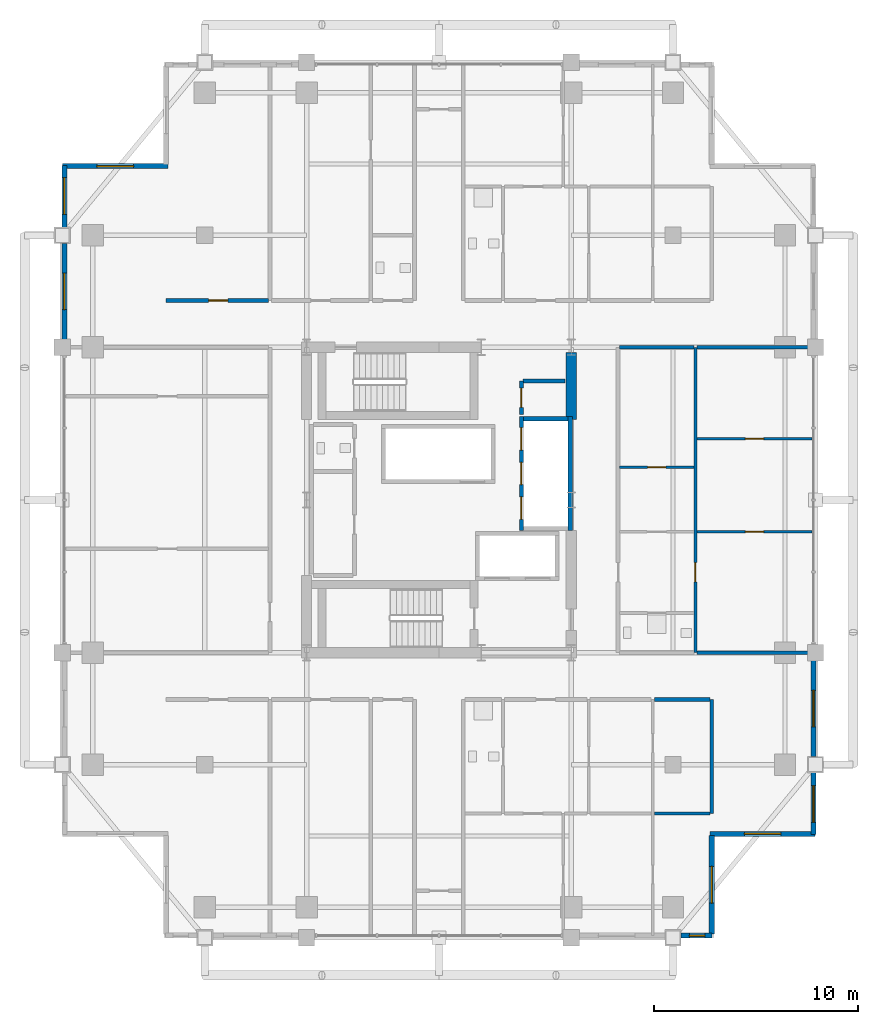
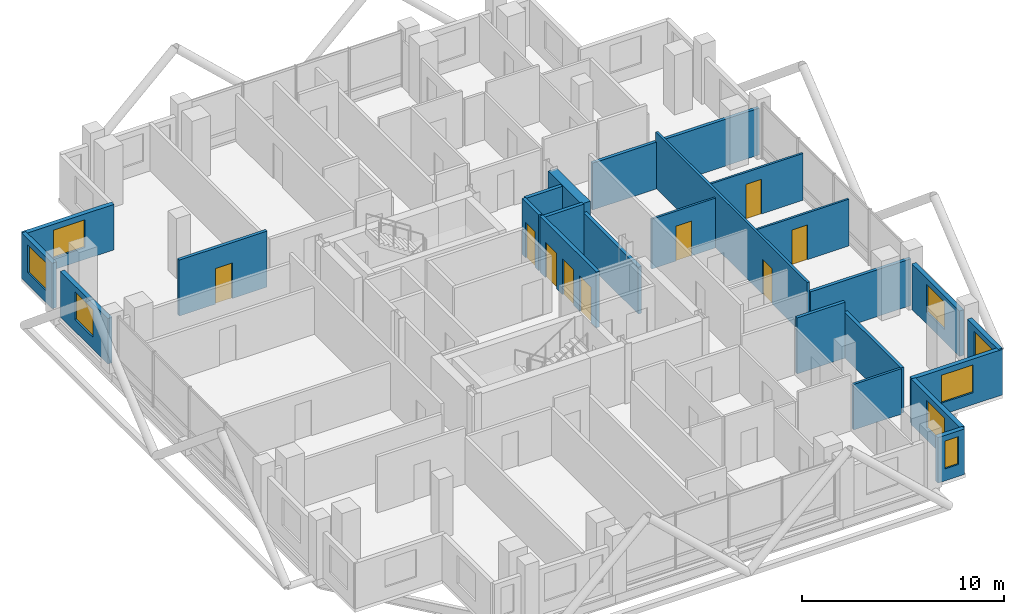
# One storey, part 22 of 26: 25 walls, 9 doors, 8 windows, 17 openings.
"""IFC4 building model written with IfcOpenShell, lengths in metres."""

from ifc_helpers import new_model, si_unit, direction, frame, frame_2d, origin, place, context, subcontext, project, spatial, rectangle, extrude, material, layer, layer_set, type_object, element, fill, save


model = new_model("IFC4")

# Units and contexts
model_context = context("Model", 3, precision=1e-05, world=origin(), true_north=direction((0.0, 1.0)))
body_context = subcontext(model_context, "Body", "Model", "MODEL_VIEW")
ifc_project = project(units=[si_unit("LENGTHUNIT", "METRE"), si_unit("AREAUNIT", "SQUARE_METRE"), si_unit("VOLUMEUNIT", "CUBIC_METRE"), si_unit("PLANEANGLEUNIT", "RADIAN"), si_unit("MASSUNIT", "GRAM", prefix="KILO")], contexts=[model_context])

# Site, building, storey
site_placement = place(None, origin())
site = spatial("IfcSite", under=ifc_project, at=site_placement, CompositionType="ELEMENT")
building_placement = place(site_placement, origin())
building = spatial("IfcBuilding", under=site, at=building_placement, Name="Barlavira Tower and Art Museum", CompositionType="ELEMENT")
storey_placement = place(building_placement, frame((0.0, 0.0, 176.39990234375)))
storey = spatial("IfcBuildingStorey", under=building, at=storey_placement, Name="L45", CompositionType="ELEMENT", Elevation=176.39990234375)

# Wall, opening, door
ifc_material_1 = material(Name="Gypsum acoustic stud partition", Category="gypsum")
ifc_layer_1 = layer(ifc_material_1, 0.1201171875, Name="Gypsum acoustic stud partition")
ifc_layer_set_1 = layer_set([ifc_layer_1], Name="Gypsum acoustic stud partition")
wall_type_1 = type_object("IfcWallType", Name="Apartment Internal Acoustic Partition 120", PredefinedType="PARTITIONING", material=ifc_layer_set_1)
wall_1_placement = place(storey_placement, frame((12.679931640625, -1.550048828125, 0.0), z_axis=(0.0, 0.0, 1.0), x_axis=(1.0, 0.0, 0.0)))
wall_1 = element("IfcWall", 1, at=wall_1_placement, inside=storey, type_object=wall_type_1, Name="L45 Partition Wall 45", PredefinedType="PARTITIONING", context=body_context, shape_type="SweptSolid", body=[
    extrude(rectangle(XDim=5.64013671875, YDim=0.1201171875, at=frame_2d((2.820068359375, 0.0))), origin(), (0.0, 0.0, 1.0), 2.826171875),
])
opening_1_placement = place(wall_1_placement, frame((2.3701171875, 0.0, 0.0)))
opening_1 = element("IfcOpeningElement", 2, at=opening_1_placement, cuts=wall_1, Name="Opening D-01", PredefinedType="OPENING", context=body_context, shape_type="SweptSolid", body=[
    extrude(rectangle(XDim=0.89990234375, YDim=2.10009765625, at=frame_2d((0.449951171875, 1.050048828125))), frame((0.0, 0.070068359375, 0.0), z_axis=(0.0, -1.0, 0.0), x_axis=(1.0, 0.0, 0.0)), (0.0, 0.0, 1.0), 0.14013671875),
])
ifc_material_2 = material(Name="Engineered coastal hardwood", Category="wood")
door_type_1 = type_object("IfcDoorType", Name="Internal Bedroom Timber Flush Door 900x2100", OperationType="NOTDEFINED", PredefinedType="DOOR", material=ifc_material_2)
door_1_placement = place(opening_1_placement, origin())
door_1 = element("IfcDoor", 3, at=door_1_placement, inside=storey, type_object=door_type_1, Name="Apartment E1 Bedroom 1 Door", OperationType="SINGLE_SWING_LEFT", OverallHeight=2.10009765625, OverallWidth=0.89990234375, PredefinedType="DOOR", context=body_context, shape_type="SweptSolid", body=[
    extrude(rectangle(XDim=0.89990234375, YDim=2.10009765625, at=frame_2d((0.449951171875, 1.050048828125))), frame((0.0, 0.02490234375, 0.0), z_axis=(0.0, -1.0, 0.0), x_axis=(1.0, 0.0, 0.0)), (0.0, 0.0, 1.0), 0.050048828125),
])
fill(opening_1, door_1)

wall_2_placement = place(storey_placement, frame((8.8798828125, 1.60009765625, 0.0), z_axis=(0.0, 0.0, 1.0), x_axis=(1.0, 0.0, 0.0)))
wall_2 = element("IfcWall", 4, at=wall_2_placement, inside=storey, type_object=wall_type_1, Name="L45 Partition Wall 47", PredefinedType="PARTITIONING", context=body_context, shape_type="SweptSolid", body=[
    extrude(rectangle(XDim=3.64013671875, YDim=0.1201171875, at=frame_2d((1.820068359375, 0.0))), origin(), (0.0, 0.0, 1.0), 3.010986328125),
])
opening_2_placement = place(wall_2_placement, frame((1.3701171875, 0.0, 0.0)))
opening_2 = element("IfcOpeningElement", 5, at=opening_2_placement, cuts=wall_2, Name="Opening D-01", PredefinedType="OPENING", context=body_context, shape_type="SweptSolid", body=[
    extrude(rectangle(XDim=0.89990234375, YDim=2.10009765625, at=frame_2d((0.449951171875, 1.050048828125))), frame((0.0, 0.070068359375, 0.0), z_axis=(0.0, -1.0, 0.0), x_axis=(1.0, 0.0, 0.0)), (0.0, 0.0, 1.0), 0.14013671875),
])
door_2_placement = place(opening_2_placement, origin())
door_2 = element("IfcDoor", 6, at=door_2_placement, inside=storey, type_object=door_type_1, Name="Apartment E1 Walk-In Dressing Room Door", OperationType="SINGLE_SWING_LEFT", OverallHeight=2.10009765625, OverallWidth=0.89990234375, PredefinedType="DOOR", context=body_context, shape_type="SweptSolid", body=[
    extrude(rectangle(XDim=0.89990234375, YDim=2.10009765625, at=frame_2d((0.449951171875, 1.050048828125))), frame((0.0, 0.02490234375, 0.0), z_axis=(0.0, -1.0, 0.0), x_axis=(1.0, 0.0, 0.0)), (0.0, 0.0, 1.0), 0.050048828125),
])
fill(opening_2, door_2)

wall_3_placement = place(storey_placement, frame((12.679931640625, 3.0, 0.0), z_axis=(0.0, 0.0, 1.0), x_axis=(1.0, 0.0, 0.0)))
wall_3 = element("IfcWall", 7, at=wall_3_placement, inside=storey, type_object=wall_type_1, Name="L45 Partition Wall 48", PredefinedType="PARTITIONING", context=body_context, shape_type="SweptSolid", body=[
    extrude(rectangle(XDim=5.64013671875, YDim=0.1201171875, at=frame_2d((2.820068359375, 0.0))), origin(), (0.0, 0.0, 1.0), 2.826171875),
])
opening_3_placement = place(wall_3_placement, frame((2.3701171875, 0.0, 0.0)))
opening_3 = element("IfcOpeningElement", 8, at=opening_3_placement, cuts=wall_3, Name="Opening D-01", PredefinedType="OPENING", context=body_context, shape_type="SweptSolid", body=[
    extrude(rectangle(XDim=0.89990234375, YDim=2.10009765625, at=frame_2d((0.449951171875, 1.050048828125))), frame((0.0, 0.070068359375, 0.0), z_axis=(0.0, -1.0, 0.0), x_axis=(1.0, 0.0, 0.0)), (0.0, 0.0, 1.0), 0.14013671875),
])
door_3_placement = place(opening_3_placement, origin())
door_3 = element("IfcDoor", 9, at=door_3_placement, inside=storey, type_object=door_type_1, Name="Apartment E1 Bedroom 2 Door", OperationType="SINGLE_SWING_RIGHT", OverallHeight=2.10009765625, OverallWidth=0.89990234375, PredefinedType="DOOR", context=body_context, shape_type="SweptSolid", body=[
    extrude(rectangle(XDim=0.89990234375, YDim=2.10009765625, at=frame_2d((0.449951171875, 1.050048828125))), frame((0.0, 0.02490234375, 0.0), z_axis=(0.0, -1.0, 0.0), x_axis=(1.0, 0.0, 0.0)), (0.0, 0.0, 1.0), 0.050048828125),
])
fill(opening_3, door_3)

# Wall
ifc_material_3 = material(Name="Concrete C60", Category="concrete")
ifc_layer_2 = layer(ifc_material_3, 0.5, Name="Concrete C60")
ifc_layer_set_2 = layer_set([ifc_layer_2], Name="Concrete C60")
wall_type_2 = type_object("IfcWallType", Name="Core Structural Shear Wall 500 Concrete C60", PredefinedType="SHEAR", material=ifc_layer_set_2)
wall_4_placement = place(storey_placement, frame((6.5, 3.949951171875, 0.0), z_axis=(0.0, 0.0, 1.0), x_axis=(0.0, 1.0, 0.0)))
element("IfcWall", 10, at=wall_4_placement, inside=storey, type_object=wall_type_2, Name="L45 Core Shear Wall CS-E2", PredefinedType="SHEAR", context=body_context, shape_type="SweptSolid", body=[
    extrude(rectangle(XDim=3.300048828125, YDim=0.5, at=frame_2d((1.64990234375, 0.0))), origin(), (0.0, 0.0, 1.0), 3.380126953125),
])

# Wall, openings, doors
ifc_material_4 = material(Name="Autoclaved aerated concrete masonry", Category="masonry")
ifc_layer_3 = layer(ifc_material_4, 0.199951171875, Name="Autoclaved aerated concrete masonry")
ifc_layer_set_3 = layer_set([ifc_layer_3], Name="Autoclaved aerated concrete masonry")
wall_type_3 = type_object("IfcWallType", Name="Fire Compartment and Shaft Wall 200", PredefinedType="SOLIDWALL", material=ifc_layer_set_3)
wall_5_placement = place(storey_placement, frame((4.050048828125, -1.489990234375, 0.0), z_axis=(0.0, 0.0, 1.0), x_axis=(0.0, 1.0, 0.0)))
wall_5 = element("IfcWall", 11, at=wall_5_placement, inside=storey, type_object=wall_type_3, Name="L45 Mid-Rise Lift Front Shaft Wall", PredefinedType="SOLIDWALL", context=body_context, shape_type="SweptSolid", body=[
    extrude(rectangle(XDim=5.580078125, YDim=0.199951171875, at=frame_2d((2.7900390625, 0.0))), origin(), (0.0, 0.0, 1.0), 3.380126953125),
])
opening_4_placement = place(wall_5_placement, frame((0.5400390625, 0.0, 0.0)))
opening_4 = element("IfcOpeningElement", 12, at=opening_4_placement, cuts=wall_5, Name="Opening LD-P", PredefinedType="OPENING", context=body_context, shape_type="SweptSolid", body=[
    extrude(rectangle(XDim=1.10009765625, YDim=2.14990234375, at=frame_2d((0.550048828125, 1.074951171875))), frame((0.0, 0.10986328125, 0.0), z_axis=(0.0, -1.0, 0.0), x_axis=(1.0, 0.0, 0.0)), (0.0, 0.0, 1.0), 0.219970703125),
])
opening_5_placement = place(wall_5_placement, frame((2.239990234375, 0.0, 0.0)))
opening_5 = element("IfcOpeningElement", 13, at=opening_5_placement, cuts=wall_5, Name="Opening LD-P", PredefinedType="OPENING", context=body_context, shape_type="SweptSolid", body=[
    extrude(rectangle(XDim=1.10009765625, YDim=2.14990234375, at=frame_2d((0.550048828125, 1.074951171875))), frame((0.0, 0.10986328125, 0.0), z_axis=(0.0, -1.0, 0.0), x_axis=(1.0, 0.0, 0.0)), (0.0, 0.0, 1.0), 0.219970703125),
])
opening_6_placement = place(wall_5_placement, frame((3.93994140625, 0.0, 0.0)))
opening_6 = element("IfcOpeningElement", 14, at=opening_6_placement, cuts=wall_5, Name="Opening LD-P", PredefinedType="OPENING", context=body_context, shape_type="SweptSolid", body=[
    extrude(rectangle(XDim=1.10009765625, YDim=2.14990234375, at=frame_2d((0.550048828125, 1.074951171875))), frame((0.0, 0.10986328125, 0.0), z_axis=(0.0, -1.0, 0.0), x_axis=(1.0, 0.0, 0.0)), (0.0, 0.0, 1.0), 0.219970703125),
])
ifc_material_5 = material(Name="Brushed stainless steel", Category="steel")
door_type_2 = type_object("IfcDoorType", Name="Passenger Lift Sliding Landing Door 1100x2150 FD60", OperationType="NOTDEFINED", PredefinedType="DOOR", material=ifc_material_5)
door_4_placement = place(opening_4_placement, origin())
door_4 = element("IfcDoor", 15, at=door_4_placement, inside=storey, type_object=door_type_2, Name="L45 Lift PM1 Sliding Landing Door", OperationType="DOUBLE_DOOR_SLIDING", OverallHeight=2.14990234375, OverallWidth=1.10009765625, PredefinedType="DOOR", context=body_context, shape_type="SweptSolid", body=[
    extrude(rectangle(XDim=1.10009765625, YDim=2.14990234375, at=frame_2d((0.550048828125, 1.074951171875))), frame((0.0, 0.02490234375, 0.0), z_axis=(0.0, -1.0, 0.0), x_axis=(1.0, 0.0, 0.0)), (0.0, 0.0, 1.0), 0.050048828125),
])
fill(opening_4, door_4)
door_5_placement = place(opening_5_placement, origin())
door_5 = element("IfcDoor", 16, at=door_5_placement, inside=storey, type_object=door_type_2, Name="L45 Lift PM2 Sliding Landing Door", OperationType="DOUBLE_DOOR_SLIDING", OverallHeight=2.14990234375, OverallWidth=1.10009765625, PredefinedType="DOOR", context=body_context, shape_type="SweptSolid", body=[
    extrude(rectangle(XDim=1.10009765625, YDim=2.14990234375, at=frame_2d((0.550048828125, 1.074951171875))), frame((0.0, 0.02490234375, 0.0), z_axis=(0.0, -1.0, 0.0), x_axis=(1.0, 0.0, 0.0)), (0.0, 0.0, 1.0), 0.050048828125),
])
fill(opening_5, door_5)
door_6_placement = place(opening_6_placement, origin())
door_6 = element("IfcDoor", 17, at=door_6_placement, inside=storey, type_object=door_type_2, Name="L45 Lift PM3 Sliding Landing Door", OperationType="DOUBLE_DOOR_SLIDING", OverallHeight=2.14990234375, OverallWidth=1.10009765625, PredefinedType="DOOR", context=body_context, shape_type="SweptSolid", body=[
    extrude(rectangle(XDim=1.10009765625, YDim=2.14990234375, at=frame_2d((0.550048828125, 1.074951171875))), frame((0.0, 0.02490234375, 0.0), z_axis=(0.0, -1.0, 0.0), x_axis=(1.0, 0.0, 0.0)), (0.0, 0.0, 1.0), 0.050048828125),
])
fill(opening_6, door_6)

# Walls
wall_6_placement = place(storey_placement, frame((6.449951171875, -1.489990234375, 0.0), z_axis=(0.0, 0.0, 1.0), x_axis=(0.0, 1.0, 0.0)))
element("IfcWall", 18, at=wall_6_placement, inside=storey, type_object=wall_type_3, Name="L45 Mid-Rise Lift Back Shaft Wall", PredefinedType="SOLIDWALL", context=body_context, shape_type="SweptSolid", body=[
    extrude(rectangle(XDim=5.580078125, YDim=0.199951171875, at=frame_2d((2.7900390625, 0.0))), origin(), (0.0, 0.0, 1.0), 2.826171875),
])
wall_7_placement = place(storey_placement, frame((4.14990234375, 3.989990234375, 0.0), z_axis=(0.0, 0.0, 1.0), x_axis=(1.0, 0.0, 0.0)))
element("IfcWall", 19, at=wall_7_placement, inside=storey, type_object=wall_type_3, Name="L45 Mid-Rise Lift North Shaft Wall", PredefinedType="SOLIDWALL", context=body_context, shape_type="SweptSolid", body=[
    extrude(rectangle(XDim=2.2001953125, YDim=0.199951171875, at=frame_2d((1.10009765625, 0.0))), origin(), (0.0, 0.0, 1.0), 3.380126953125),
])

# Wall, opening, door
wall_8_placement = place(storey_placement, frame((4.050048828125, 4.199951171875, 0.0), z_axis=(0.0, 0.0, 1.0), x_axis=(0.0, 1.0, 0.0)))
wall_8 = element("IfcWall", 20, at=wall_8_placement, inside=storey, type_object=wall_type_3, Name="L45 Partition Wall 14", PredefinedType="SOLIDWALL", context=body_context, shape_type="SweptSolid", body=[
    extrude(rectangle(XDim=1.650146484375, YDim=0.199951171875, at=frame_2d((0.8251953125, 0.0))), origin(), (0.0, 0.0, 1.0), 3.380126953125),
])
opening_7_placement = place(wall_8_placement, frame((0.344970703125, 0.0, 0.0)))
opening_7 = element("IfcOpeningElement", 21, at=opening_7_placement, cuts=wall_8, Name="Opening FD-60", PredefinedType="OPENING", context=body_context, shape_type="SweptSolid", body=[
    extrude(rectangle(XDim=0.949951171875, YDim=2.14990234375, at=frame_2d((0.47509765625, 1.074951171875))), frame((0.0, 0.10986328125, 0.0), z_axis=(0.0, -1.0, 0.0), x_axis=(1.0, 0.0, 0.0)), (0.0, 0.0, 1.0), 0.219970703125),
])
door_type_3 = type_object("IfcDoorType", Name="Apartment Entrance and Riser Fire Door 950x2150 FD60S", OperationType="NOTDEFINED", PredefinedType="DOOR", material=ifc_material_5)
door_7_placement = place(opening_7_placement, origin())
door_7 = element("IfcDoor", 22, at=door_7_placement, inside=storey, type_object=door_type_3, Name="Telecom and BMS Distribution Room Door", OperationType="SINGLE_SWING_LEFT", OverallHeight=2.14990234375, OverallWidth=0.949951171875, PredefinedType="DOOR", context=body_context, shape_type="SweptSolid", body=[
    extrude(rectangle(XDim=0.949951171875, YDim=2.14990234375, at=frame_2d((0.47509765625, 1.074951171875))), frame((0.0, 0.02490234375, 0.0), z_axis=(0.0, -1.0, 0.0), x_axis=(1.0, 0.0, 0.0)), (0.0, 0.0, 1.0), 0.050048828125),
])
fill(opening_7, door_7)

# Walls
wall_9_placement = place(storey_placement, frame((4.1298828125, 5.85009765625, 0.0), z_axis=(0.0, 0.0, 1.0), x_axis=(1.0, 0.0, 0.0)))
element("IfcWall", 23, at=wall_9_placement, inside=storey, type_object=wall_type_3, Name="L45 Partition Wall 51", PredefinedType="SOLIDWALL", context=body_context, shape_type="SweptSolid", body=[
    extrude(rectangle(XDim=2.070068359375, YDim=0.199951171875, at=frame_2d((1.03515625, 0.0))), origin(), (0.0, 0.0, 1.0), 3.380126953125),
])
ifc_layer_4 = layer(ifc_material_1, 0.179931640625, Name="Gypsum acoustic stud partition")
ifc_layer_set_4 = layer_set([ifc_layer_4], Name="Gypsum acoustic stud partition")
wall_type_4 = type_object("IfcWallType", Name="Inter-Tenancy Party Partition Wall 180", PredefinedType="PARTITIONING", material=ifc_layer_set_4)
wall_10_placement = place(storey_placement, frame((13.39990234375, -15.39990234375, 0.0), z_axis=(0.0, 0.0, 1.0), x_axis=(0.0, 1.0, 0.0)))
element("IfcWall", 24, at=wall_10_placement, inside=storey, type_object=wall_type_4, Name="L45 Partition Wall 23", PredefinedType="PARTITIONING", context=body_context, shape_type="SweptSolid", body=[
    extrude(rectangle(XDim=5.599853515625, YDim=0.179931640625, at=frame_2d((2.7998046875, 0.0))), origin(), (0.0, 0.0, 1.0), 2.748046875),
])
wall_11_placement = place(storey_placement, frame((10.580078125, -9.800048828125, 0.0), z_axis=(0.0, 0.0, 1.0), x_axis=(1.0, 0.0, 0.0)))
element("IfcWall", 25, at=wall_11_placement, inside=storey, type_object=wall_type_4, Name="L45 Partition Wall 37", PredefinedType="PARTITIONING", context=body_context, shape_type="SweptSolid", body=[
    extrude(rectangle(XDim=2.739990234375, YDim=0.179931640625, at=frame_2d((1.3701171875, 0.0))), origin(), (0.0, 0.0, 1.0), 3.380126953125),
])
wall_12_placement = place(storey_placement, frame((12.679931640625, -7.5, 0.0), z_axis=(0.0, 0.0, 1.0), x_axis=(1.0, 0.0, 0.0)))
element("IfcWall", 26, at=wall_12_placement, inside=storey, type_object=wall_type_4, Name="L45 Partition Wall 40", PredefinedType="PARTITIONING", context=body_context, shape_type="SweptSolid", body=[
    extrude(rectangle(XDim=5.719970703125, YDim=0.179931640625, at=frame_2d((2.85986328125, 0.0))), origin(), (0.0, 0.0, 1.0), 2.826171875),
])
wall_13_placement = place(storey_placement, frame((8.8798828125, 7.5, 0.0), z_axis=(0.0, 0.0, 1.0), x_axis=(1.0, 0.0, 0.0)))
element("IfcWall", 27, at=wall_13_placement, inside=storey, type_object=wall_type_4, Name="L45 Partition Wall 53", PredefinedType="PARTITIONING", context=body_context, shape_type="SweptSolid", body=[
    extrude(rectangle(XDim=3.64013671875, YDim=0.179931640625, at=frame_2d((1.820068359375, 0.0))), origin(), (0.0, 0.0, 1.0), 2.826171875),
])
wall_14_placement = place(storey_placement, frame((12.679931640625, 7.5, 0.0), z_axis=(0.0, 0.0, 1.0), x_axis=(1.0, 0.0, 0.0)))
element("IfcWall", 28, at=wall_14_placement, inside=storey, type_object=wall_type_4, Name="L45 Partition Wall 54", PredefinedType="PARTITIONING", context=body_context, shape_type="SweptSolid", body=[
    extrude(rectangle(XDim=5.719970703125, YDim=0.179931640625, at=frame_2d((2.85986328125, 0.0))), origin(), (0.0, 0.0, 1.0), 2.826171875),
])

# Wall, opening, door
wall_15_placement = place(storey_placement, frame((-13.39990234375, 9.800048828125, 0.0), z_axis=(0.0, 0.0, 1.0), x_axis=(1.0, 0.0, 0.0)))
wall_15 = element("IfcWall", 29, at=wall_15_placement, inside=storey, type_object=wall_type_4, Name="L45 Partition Wall 55", PredefinedType="PARTITIONING", context=body_context, shape_type="SweptSolid", body=[
    extrude(rectangle(XDim=5.02001953125, YDim=0.179931640625, at=frame_2d((2.510009765625, 0.0))), origin(), (0.0, 0.0, 1.0), 3.380126953125),
])
opening_8_placement = place(wall_15_placement, frame((2.0849609375, 0.0, 0.0)))
opening_8 = element("IfcOpeningElement", 30, at=opening_8_placement, cuts=wall_15, Name="Opening FD-60", PredefinedType="OPENING", context=body_context, shape_type="SweptSolid", body=[
    extrude(rectangle(XDim=0.949951171875, YDim=2.14990234375, at=frame_2d((0.47509765625, 1.074951171875))), frame((0.0, 0.10009765625, 0.0), z_axis=(0.0, -1.0, 0.0), x_axis=(1.0, 0.0, 0.0)), (0.0, 0.0, 1.0), 0.199951171875),
])
door_8_placement = place(opening_8_placement, origin())
door_8 = element("IfcDoor", 31, at=door_8_placement, inside=storey, type_object=door_type_3, Name="Resident Ocean-View Fitness Studio Door", OperationType="SINGLE_SWING_RIGHT", OverallHeight=2.14990234375, OverallWidth=0.949951171875, PredefinedType="DOOR", context=body_context, shape_type="SweptSolid", body=[
    extrude(rectangle(XDim=0.949951171875, YDim=2.14990234375, at=frame_2d((0.47509765625, 1.074951171875))), frame((0.0, 0.02490234375, 0.0), z_axis=(0.0, -1.0, 0.0), x_axis=(1.0, 0.0, 0.0)), (0.0, 0.0, 1.0), 0.050048828125),
])
fill(opening_8, door_8)

ifc_layer_5 = layer(ifc_material_1, 0.139892578125, Name="Gypsum acoustic stud partition")
ifc_layer_set_5 = layer_set([ifc_layer_5], Name="Gypsum acoustic stud partition")
wall_type_5 = type_object("IfcWallType", Name="Moisture-Resistant Bathroom Partition 140", PredefinedType="PARTITIONING", material=ifc_layer_set_5)
wall_16_placement = place(storey_placement, frame((12.60009765625, -7.5, 0.0), z_axis=(0.0, 0.0, 1.0), x_axis=(0.0, 1.0, 0.0)))
wall_16 = element("IfcWall", 32, at=wall_16_placement, inside=storey, type_object=wall_type_5, Name="L45 Partition Wall 22", PredefinedType="PARTITIONING", context=body_context, shape_type="SweptSolid", body=[
    extrude(rectangle(XDim=15.0, YDim=0.139892578125, at=frame_2d((7.5, 0.0))), origin(), (0.0, 0.0, 1.0), 3.380126953125),
])
opening_9_placement = place(wall_16_placement, frame((3.47509765625, 0.0, 0.0)))
opening_9 = element("IfcOpeningElement", 33, at=opening_9_placement, cuts=wall_16, Name="Opening D-02", PredefinedType="OPENING", context=body_context, shape_type="SweptSolid", body=[
    extrude(rectangle(XDim=0.949951171875, YDim=2.10009765625, at=frame_2d((0.47509765625, 1.050048828125))), frame((0.0, 0.080078125, 0.0), z_axis=(0.0, -1.0, 0.0), x_axis=(1.0, 0.0, 0.0)), (0.0, 0.0, 1.0), 0.159912109375),
])
door_type_4 = type_object("IfcDoorType", Name="Living and Salon Glazed-Leaf Door 950x2100", OperationType="NOTDEFINED", PredefinedType="DOOR", material=ifc_material_2)
door_9_placement = place(opening_9_placement, origin())
door_9 = element("IfcDoor", 34, at=door_9_placement, inside=storey, type_object=door_type_4, Name="Apartment E1 Living Lounge Door", OperationType="SINGLE_SWING_RIGHT", OverallHeight=2.10009765625, OverallWidth=0.949951171875, PredefinedType="DOOR", context=body_context, shape_type="SweptSolid", body=[
    extrude(rectangle(XDim=0.949951171875, YDim=2.10009765625, at=frame_2d((0.47509765625, 1.050048828125))), frame((0.0, 0.02490234375, 0.0), z_axis=(0.0, -1.0, 0.0), x_axis=(1.0, 0.0, 0.0)), (0.0, 0.0, 1.0), 0.050048828125),
])
fill(opening_9, door_9)

# Wall
wall_17_placement = place(storey_placement, frame((10.580078125, -15.39990234375, 0.0), z_axis=(0.0, 0.0, 1.0), x_axis=(1.0, 0.0, 0.0)))
element("IfcWall", 35, at=wall_17_placement, inside=storey, type_object=wall_type_5, Name="L45 Partition Wall 30", PredefinedType="PARTITIONING", context=body_context, shape_type="SweptSolid", body=[
    extrude(rectangle(XDim=2.739990234375, YDim=0.139892578125, at=frame_2d((1.3701171875, 0.0))), origin(), (0.0, 0.0, 1.0), 2.748046875),
])

# Wall, opening, window
ifc_material_6 = material(Name="Precast concrete C40", Category="concrete")
ifc_layer_6 = layer(ifc_material_6, 0.25, Name="Precast concrete C40")
ifc_layer_set_6 = layer_set([ifc_layer_6], Name="Precast concrete C40")
wall_type_6 = type_object("IfcWallType", Name="Notched Corner Spandrel Wall 250 Precast Concrete C40", PredefinedType="SOLIDWALL", material=ifc_layer_set_6)
wall_18_placement = place(storey_placement, frame((11.89501953125, -21.39990234375, 0.0), z_axis=(0.0, 0.0, 1.0), x_axis=(1.0, 0.0, 0.0)))
wall_18 = element("IfcWall", 36, at=wall_18_placement, inside=storey, type_object=wall_type_6, Name="L45 Coastal Facade Pier Wall CW3-L45-S-5", PredefinedType="SOLIDWALL", context=body_context, shape_type="SweptSolid", body=[
    extrude(rectangle(XDim=1.530029296875, YDim=0.25, at=frame_2d((0.76513671875, 0.0))), origin(), (0.0, 0.0, 1.0), 2.748046875),
])
opening_10_placement = place(wall_18_placement, frame((0.407958984375, 0.0, 0.719970703125)))
opening_10 = element("IfcOpeningElement", 37, at=opening_10_placement, cuts=wall_18, Name="Opening WN-06", PredefinedType="OPENING", context=body_context, shape_type="SweptSolid", body=[
    extrude(rectangle(XDim=0.760009765625, YDim=1.679931640625, at=frame_2d((0.3798828125, 0.83984375))), frame((0.0, 0.135009765625, 0.0), z_axis=(0.0, -1.0, 0.0), x_axis=(1.0, 0.0, 0.0)), (0.0, 0.0, 1.0), 0.27001953125),
])
ifc_material_7 = material(Name="Low-iron coastal laminated glass", Category="glass")
window_type_1 = type_object("IfcWindowType", Name="Recessed Narrow Pier Window 760x1680", PartitioningType="SINGLE_PANEL", PredefinedType="WINDOW", material=ifc_material_7)
window_1_placement = place(opening_10_placement, origin())
window_1 = element("IfcWindow", 38, at=window_1_placement, inside=storey, type_object=window_type_1, Name="L45 Punched Facade Window EWP-CW3-L45-S-5-1", OverallHeight=1.679931640625, OverallWidth=0.760009765625, PartitioningType="SINGLE_PANEL", PredefinedType="WINDOW", context=body_context, shape_type="SweptSolid", body=[
    extrude(rectangle(XDim=0.760009765625, YDim=1.679931640625, at=frame_2d((0.3798828125, 0.83984375))), frame((0.0, 0.030029296875, 0.0), z_axis=(0.0, -1.0, 0.0), x_axis=(1.0, 0.0, 0.0)), (0.0, 0.0, 1.0), 0.06005859375),
])
fill(opening_10, window_1)

wall_19_placement = place(storey_placement, frame((-18.39990234375, 16.425048828125, 0.0), z_axis=(0.0, 0.0, 1.0), x_axis=(0.0, -1.0, 0.0)))
wall_19 = element("IfcWall", 39, at=wall_19_placement, inside=storey, type_object=wall_type_6, Name="L45 Coastal Facade Pier Wall CW3-L45-W-1", PredefinedType="SOLIDWALL", context=body_context, shape_type="SweptSolid", body=[
    extrude(rectangle(XDim=3.030029296875, YDim=0.25, at=frame_2d((1.51513671875, 0.0))), origin(), (0.0, 0.0, 1.0), 2.748046875),
])
opening_11_placement = place(wall_19_placement, frame((0.593017578125, 0.0, 0.719970703125)))
opening_11 = element("IfcOpeningElement", 40, at=opening_11_placement, cuts=wall_19, Name="Opening WN-01", PredefinedType="OPENING", context=body_context, shape_type="SweptSolid", body=[
    extrude(rectangle(XDim=1.800048828125, YDim=1.679931640625, at=frame_2d((0.89990234375, 0.83984375))), frame((0.0, 0.135009765625, 0.0), z_axis=(0.0, -1.0, 0.0), x_axis=(1.0, 0.0, 0.0)), (0.0, 0.0, 1.0), 0.27001953125),
])
window_type_2 = type_object("IfcWindowType", Name="Recessed Notch Corner Punch Window 1800x1680", PartitioningType="SINGLE_PANEL", PredefinedType="WINDOW", material=ifc_material_7)
window_2_placement = place(opening_11_placement, origin())
window_2 = element("IfcWindow", 41, at=window_2_placement, inside=storey, type_object=window_type_2, Name="L45 Punched Facade Window EWP-CW3-L45-W-1-1", OverallHeight=1.679931640625, OverallWidth=1.800048828125, PartitioningType="SINGLE_PANEL", PredefinedType="WINDOW", context=body_context, shape_type="SweptSolid", body=[
    extrude(rectangle(XDim=1.800048828125, YDim=1.679931640625, at=frame_2d((0.89990234375, 0.83984375))), frame((0.0, 0.030029296875, 0.0), z_axis=(0.0, -1.0, 0.0), x_axis=(1.0, 0.0, 0.0)), (0.0, 0.0, 1.0), 0.06005859375),
])
fill(opening_11, window_2)

wall_20_placement = place(storey_placement, frame((-18.39990234375, 12.60498046875, 0.0), z_axis=(0.0, 0.0, 1.0), x_axis=(0.0, -1.0, 0.0)))
wall_20 = element("IfcWall", 42, at=wall_20_placement, inside=storey, type_object=wall_type_6, Name="L45 Coastal Facade Pier Wall CW3-L45-W-2", PredefinedType="SOLIDWALL", context=body_context, shape_type="SweptSolid", body=[
    extrude(rectangle(XDim=4.7099609375, YDim=0.25, at=frame_2d((2.35498046875, 0.0))), origin(), (0.0, 0.0, 1.0), 2.748046875),
])
opening_12_placement = place(wall_20_placement, frame((1.455078125, 0.0, 0.719970703125)))
opening_12 = element("IfcOpeningElement", 43, at=opening_12_placement, cuts=wall_20, Name="Opening WN-01", PredefinedType="OPENING", context=body_context, shape_type="SweptSolid", body=[
    extrude(rectangle(XDim=1.800048828125, YDim=1.679931640625, at=frame_2d((0.89990234375, 0.83984375))), frame((0.0, 0.135009765625, 0.0), z_axis=(0.0, -1.0, 0.0), x_axis=(1.0, 0.0, 0.0)), (0.0, 0.0, 1.0), 0.27001953125),
])
window_3_placement = place(opening_12_placement, origin())
window_3 = element("IfcWindow", 44, at=window_3_placement, inside=storey, type_object=window_type_2, Name="L45 Punched Facade Window EWP-CW3-L45-W-2-1", OverallHeight=1.679931640625, OverallWidth=1.800048828125, PartitioningType="SINGLE_PANEL", PredefinedType="WINDOW", context=body_context, shape_type="SweptSolid", body=[
    extrude(rectangle(XDim=1.800048828125, YDim=1.679931640625, at=frame_2d((0.89990234375, 0.83984375))), frame((0.0, 0.030029296875, 0.0), z_axis=(0.0, -1.0, 0.0), x_axis=(1.0, 0.0, 0.0)), (0.0, 0.0, 1.0), 0.06005859375),
])
fill(opening_12, window_3)

wall_21_placement = place(storey_placement, frame((18.39990234375, -16.425048828125, 0.0), z_axis=(0.0, 0.0, 1.0), x_axis=(0.0, 1.0, 0.0)))
wall_21 = element("IfcWall", 45, at=wall_21_placement, inside=storey, type_object=wall_type_6, Name="L45 Coastal Facade Pier Wall CW3-L45-E-1", PredefinedType="SOLIDWALL", context=body_context, shape_type="SweptSolid", body=[
    extrude(rectangle(XDim=3.030029296875, YDim=0.25, at=frame_2d((1.51513671875, 0.0))), origin(), (0.0, 0.0, 1.0), 2.748046875),
])
opening_13_placement = place(wall_21_placement, frame((0.593017578125, 0.0, 0.719970703125)))
opening_13 = element("IfcOpeningElement", 46, at=opening_13_placement, cuts=wall_21, Name="Opening WN-01", PredefinedType="OPENING", context=body_context, shape_type="SweptSolid", body=[
    extrude(rectangle(XDim=1.800048828125, YDim=1.679931640625, at=frame_2d((0.89990234375, 0.83984375))), frame((0.0, 0.135009765625, 0.0), z_axis=(0.0, -1.0, 0.0), x_axis=(1.0, 0.0, 0.0)), (0.0, 0.0, 1.0), 0.27001953125),
])
window_4_placement = place(opening_13_placement, origin())
window_4 = element("IfcWindow", 47, at=window_4_placement, inside=storey, type_object=window_type_2, Name="L45 Punched Facade Window EWP-CW3-L45-E-1-1", OverallHeight=1.679931640625, OverallWidth=1.800048828125, PartitioningType="SINGLE_PANEL", PredefinedType="WINDOW", context=body_context, shape_type="SweptSolid", body=[
    extrude(rectangle(XDim=1.800048828125, YDim=1.679931640625, at=frame_2d((0.89990234375, 0.83984375))), frame((0.0, 0.030029296875, 0.0), z_axis=(0.0, -1.0, 0.0), x_axis=(1.0, 0.0, 0.0)), (0.0, 0.0, 1.0), 0.06005859375),
])
fill(opening_13, window_4)

wall_22_placement = place(storey_placement, frame((18.39990234375, -12.60498046875, 0.0), z_axis=(0.0, 0.0, 1.0), x_axis=(0.0, 1.0, 0.0)))
wall_22 = element("IfcWall", 48, at=wall_22_placement, inside=storey, type_object=wall_type_6, Name="L45 Coastal Facade Pier Wall CW3-L45-E-2", PredefinedType="SOLIDWALL", context=body_context, shape_type="SweptSolid", body=[
    extrude(rectangle(XDim=4.7099609375, YDim=0.25, at=frame_2d((2.35498046875, 0.0))), origin(), (0.0, 0.0, 1.0), 2.748046875),
])
opening_14_placement = place(wall_22_placement, frame((1.455078125, 0.0, 0.719970703125)))
opening_14 = element("IfcOpeningElement", 49, at=opening_14_placement, cuts=wall_22, Name="Opening WN-01", PredefinedType="OPENING", context=body_context, shape_type="SweptSolid", body=[
    extrude(rectangle(XDim=1.800048828125, YDim=1.679931640625, at=frame_2d((0.89990234375, 0.83984375))), frame((0.0, 0.135009765625, 0.0), z_axis=(0.0, -1.0, 0.0), x_axis=(1.0, 0.0, 0.0)), (0.0, 0.0, 1.0), 0.27001953125),
])
window_5_placement = place(opening_14_placement, origin())
window_5 = element("IfcWindow", 50, at=window_5_placement, inside=storey, type_object=window_type_2, Name="L45 Punched Facade Window EWP-CW3-L45-E-2-1", OverallHeight=1.679931640625, OverallWidth=1.800048828125, PartitioningType="SINGLE_PANEL", PredefinedType="WINDOW", context=body_context, shape_type="SweptSolid", body=[
    extrude(rectangle(XDim=1.800048828125, YDim=1.679931640625, at=frame_2d((0.89990234375, 0.83984375))), frame((0.0, 0.030029296875, 0.0), z_axis=(0.0, -1.0, 0.0), x_axis=(1.0, 0.0, 0.0)), (0.0, 0.0, 1.0), 0.06005859375),
])
fill(opening_14, window_5)

wall_23_placement = place(storey_placement, frame((13.39990234375, -21.320068359375, 0.0), z_axis=(0.0, 0.0, 1.0), x_axis=(0.0, 1.0, 0.0)))
wall_23 = element("IfcWall", 51, at=wall_23_placement, inside=storey, type_object=wall_type_6, Name="L45 Notch Corner Wall SE1", PredefinedType="SOLIDWALL", context=body_context, shape_type="SweptSolid", body=[
    extrude(rectangle(XDim=4.840087890625, YDim=0.25, at=frame_2d((2.419921875, 0.0))), origin(), (0.0, 0.0, 1.0), 2.748046875),
])
opening_15_placement = place(wall_23_placement, frame((1.52001953125, 0.0, 0.719970703125)))
opening_15 = element("IfcOpeningElement", 52, at=opening_15_placement, cuts=wall_23, Name="Opening WN-01", PredefinedType="OPENING", context=body_context, shape_type="SweptSolid", body=[
    extrude(rectangle(XDim=1.800048828125, YDim=1.679931640625, at=frame_2d((0.89990234375, 0.83984375))), frame((0.0, 0.135009765625, 0.0), z_axis=(0.0, -1.0, 0.0), x_axis=(1.0, 0.0, 0.0)), (0.0, 0.0, 1.0), 0.27001953125),
])
window_6_placement = place(opening_15_placement, origin())
window_6 = element("IfcWindow", 53, at=window_6_placement, inside=storey, type_object=window_type_2, Name="L45 Punched Facade Window EW-NTC-L45-SE1-1", OverallHeight=1.679931640625, OverallWidth=1.800048828125, PartitioningType="SINGLE_PANEL", PredefinedType="WINDOW", context=body_context, shape_type="SweptSolid", body=[
    extrude(rectangle(XDim=1.800048828125, YDim=1.679931640625, at=frame_2d((0.89990234375, 0.83984375))), frame((0.0, 0.030029296875, 0.0), z_axis=(0.0, -1.0, 0.0), x_axis=(1.0, 0.0, 0.0)), (0.0, 0.0, 1.0), 0.06005859375),
])
fill(opening_15, window_6)

wall_24_placement = place(storey_placement, frame((13.320068359375, -16.39990234375, 0.0), z_axis=(0.0, 0.0, 1.0), x_axis=(1.0, 0.0, 0.0)))
wall_24 = element("IfcWall", 54, at=wall_24_placement, inside=storey, type_object=wall_type_6, Name="L45 Notch Corner Wall SE2", PredefinedType="SOLIDWALL", context=body_context, shape_type="SweptSolid", body=[
    extrude(rectangle(XDim=5.159912109375, YDim=0.25, at=frame_2d((2.580078125, 0.0))), origin(), (0.0, 0.0, 1.0), 2.748046875),
])
opening_16_placement = place(wall_24_placement, frame((1.679931640625, 0.0, 0.719970703125)))
opening_16 = element("IfcOpeningElement", 55, at=opening_16_placement, cuts=wall_24, Name="Opening WN-01", PredefinedType="OPENING", context=body_context, shape_type="SweptSolid", body=[
    extrude(rectangle(XDim=1.800048828125, YDim=1.679931640625, at=frame_2d((0.89990234375, 0.83984375))), frame((0.0, 0.135009765625, 0.0), z_axis=(0.0, -1.0, 0.0), x_axis=(1.0, 0.0, 0.0)), (0.0, 0.0, 1.0), 0.27001953125),
])
window_7_placement = place(opening_16_placement, origin())
window_7 = element("IfcWindow", 56, at=window_7_placement, inside=storey, type_object=window_type_2, Name="L45 Punched Facade Window EW-NTC-L45-SE2-1", OverallHeight=1.679931640625, OverallWidth=1.800048828125, PartitioningType="SINGLE_PANEL", PredefinedType="WINDOW", context=body_context, shape_type="SweptSolid", body=[
    extrude(rectangle(XDim=1.800048828125, YDim=1.679931640625, at=frame_2d((0.89990234375, 0.83984375))), frame((0.0, 0.030029296875, 0.0), z_axis=(0.0, -1.0, 0.0), x_axis=(1.0, 0.0, 0.0)), (0.0, 0.0, 1.0), 0.06005859375),
])
fill(opening_16, window_7)

wall_25_placement = place(storey_placement, frame((-13.320068359375, 16.39990234375, 0.0), z_axis=(0.0, 0.0, 1.0), x_axis=(-1.0, 0.0, 0.0)))
wall_25 = element("IfcWall", 57, at=wall_25_placement, inside=storey, type_object=wall_type_6, Name="L45 Notch Corner Wall NW2", PredefinedType="SOLIDWALL", context=body_context, shape_type="SweptSolid", body=[
    extrude(rectangle(XDim=5.159912109375, YDim=0.25, at=frame_2d((2.580078125, 0.0))), origin(), (0.0, 0.0, 1.0), 2.748046875),
])
opening_17_placement = place(wall_25_placement, frame((1.679931640625, 0.0, 0.719970703125)))
opening_17 = element("IfcOpeningElement", 58, at=opening_17_placement, cuts=wall_25, Name="Opening WN-01", PredefinedType="OPENING", context=body_context, shape_type="SweptSolid", body=[
    extrude(rectangle(XDim=1.800048828125, YDim=1.679931640625, at=frame_2d((0.89990234375, 0.83984375))), frame((0.0, 0.135009765625, 0.0), z_axis=(0.0, -1.0, 0.0), x_axis=(1.0, 0.0, 0.0)), (0.0, 0.0, 1.0), 0.27001953125),
])
window_8_placement = place(opening_17_placement, origin())
window_8 = element("IfcWindow", 59, at=window_8_placement, inside=storey, type_object=window_type_2, Name="L45 Punched Facade Window EW-NTC-L45-NW2-1", OverallHeight=1.679931640625, OverallWidth=1.800048828125, PartitioningType="SINGLE_PANEL", PredefinedType="WINDOW", context=body_context, shape_type="SweptSolid", body=[
    extrude(rectangle(XDim=1.800048828125, YDim=1.679931640625, at=frame_2d((0.89990234375, 0.83984375))), frame((0.0, 0.030029296875, 0.0), z_axis=(0.0, -1.0, 0.0), x_axis=(1.0, 0.0, 0.0)), (0.0, 0.0, 1.0), 0.06005859375),
])
fill(opening_17, window_8)

save(model, "model.ifc")
